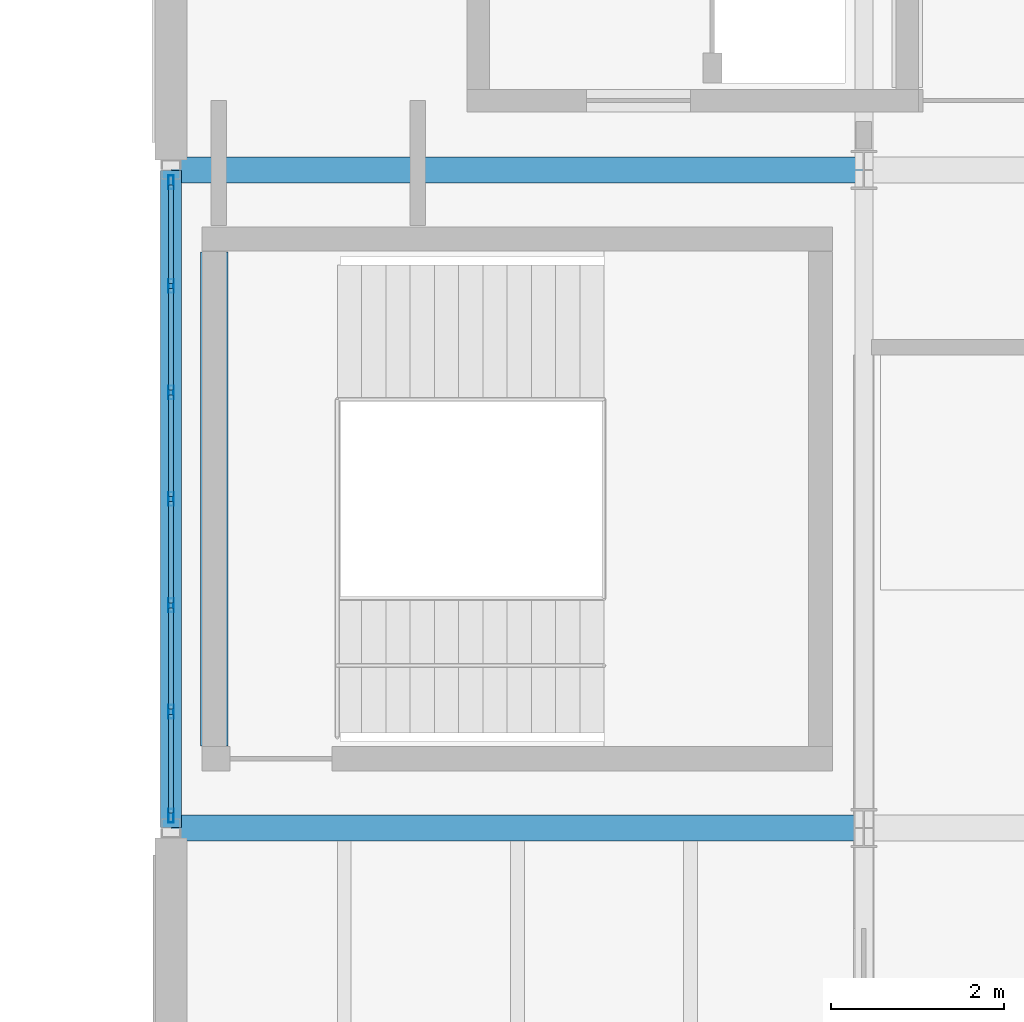
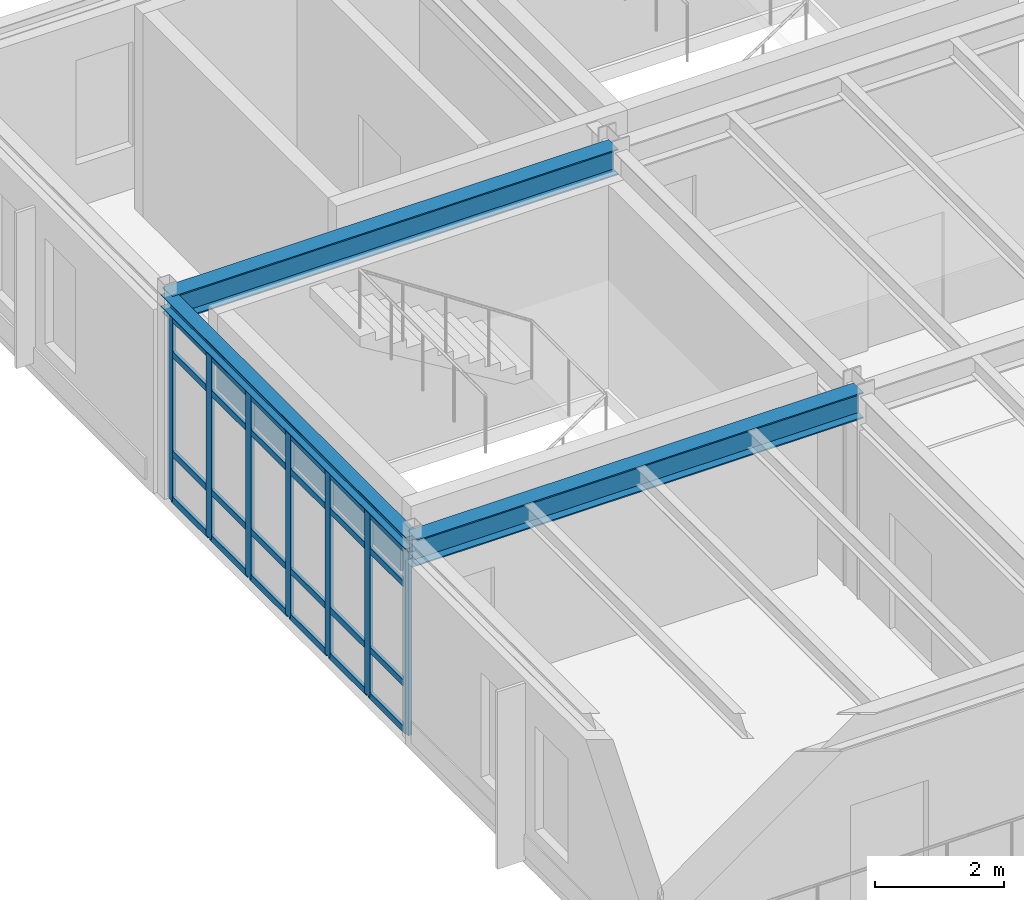
# One storey, part 65 of 114: 31 members, 4 beams, 1 element without a shape of its own.
"""IFC4 building model written with IfcOpenShell, lengths in metres."""

from ifc_helpers import new_model, si_unit, direction, frame, origin, origin_2d, place, context, subcontext, project, spatial, rectangle, hollow_rectangle, i_section, extrude, material, layer, layer_set, material_profile, profile_set, type_object, element, aggregate, save


model = new_model("IFC4")

# Units and contexts
model_context = context("Model", 3, precision=1e-05, world=origin(), true_north=direction((0.0, 1.0)))
body_context = subcontext(model_context, "Body", "Model", "MODEL_VIEW")
ifc_project = project(units=[si_unit("LENGTHUNIT", "METRE"), si_unit("AREAUNIT", "SQUARE_METRE"), si_unit("VOLUMEUNIT", "CUBIC_METRE"), si_unit("PLANEANGLEUNIT", "RADIAN"), si_unit("MASSUNIT", "GRAM", prefix="KILO")], contexts=[model_context])

# Site, building, storey
site_placement = place(None, origin())
site = spatial("IfcSite", under=ifc_project, at=site_placement, CompositionType="ELEMENT")
building_placement = place(site_placement, origin())
building = spatial("IfcBuilding", under=site, at=building_placement, Name="Montecoro Central Library", CompositionType="ELEMENT")
storey_placement = place(building_placement, frame((0.0, 0.0, 13.260009765625)))
storey = spatial("IfcBuildingStorey", under=building, at=storey_placement, Name="L03", CompositionType="ELEMENT", Elevation=13.260009765625)

# Beams
ifc_material_1 = material(Name="Steel S355J2", Category="steel")
ifc_material_profile_1 = material_profile(ifc_material_1, i_section(OverallWidth=0.300048828125, OverallDepth=0.489990234375, WebThickness=0.011962890625, FlangeThickness=0.02294921875, at=origin_2d()), Name="HEA 500")
ifc_profile_set_1 = profile_set([ifc_material_profile_1], Name="Steel S355J2")
beam_type_1 = type_object("IfcBeamType", Name="BM-G-HEA500", PredefinedType="USERDEFINED", material=ifc_profile_set_1)
for number, where, z_axis, x_axis, name in (
    (1, (141.0048828125, 103.800048828125, 3.580078125), (1.0, 0.0, 0.0), (0.0, 1.0, 0.0), "V5-L03-BX-1819-P"),
    (2, (141.0048828125, 111.39990234375, 3.580078125), (1.0, 0.0, 0.0), (0.0, 1.0, 0.0), "V5-L03-BX-1819-Q"),
):
    element("IfcBeam", number, at=place(storey_placement, frame(where, z_axis=z_axis, x_axis=x_axis)), inside=storey, type_object=beam_type_1, Name=name, ObjectType="GIRDER", PredefinedType="USERDEFINED", context=body_context, shape_type="SweptSolid", body=[
        extrude(i_section(OverallWidth=0.300048828125, OverallDepth=0.489990234375, WebThickness=0.011962890625, FlangeThickness=0.02294921875, at=origin_2d()), origin(), (0.0, 0.0, 1.0), 7.990234375),
    ])
ifc_material_2 = material(Name="Concrete C35/45", Category="concrete")
ifc_material_profile_2 = material_profile(ifc_material_2, rectangle(XDim=0.320068359375, YDim=0.5, at=origin_2d()), Name="RC LNT 500x320")
ifc_profile_set_2 = profile_set([ifc_material_profile_2], Name="Concrete C35/45")
beam_type_2 = type_object("IfcBeamType", Name="BM-LN-RC03", PredefinedType="LINTEL", material=ifc_profile_set_2)
beam_1_placement = place(storey_placement, frame((141.5, 104.75, 2.699951171875), z_axis=(0.0, 1.0, 0.0), x_axis=(-1.0, 0.0, 0.0)))
element("IfcBeam", 3, at=beam_1_placement, inside=storey, type_object=beam_type_2, Name="C8-L03-LNT", PredefinedType="LINTEL", context=body_context, shape_type="SweptSolid", body=[
    extrude(rectangle(XDim=0.320068359375, YDim=0.5, at=origin_2d()), origin(), (0.0, 0.0, 1.0), 5.699951171875),
])
ifc_material_3 = material(Name="Steel S355", Category="steel")
ifc_material_profile_3 = material_profile(ifc_material_3, i_section(OverallWidth=0.239990234375, OverallDepth=0.22998046875, WebThickness=0.007568359375, FlangeThickness=0.011962890625, at=origin_2d()), Name="HEA 240")
ifc_profile_set_3 = profile_set([ifc_material_profile_3], Name="Steel S355")
beam_type_3 = type_object("IfcBeamType", Name="BM-SP-HEA240", PredefinedType="SPANDREL", material=ifc_profile_set_3)
beam_2_placement = place(storey_placement, frame((141.0, 103.804931640625, 3.7099609375), z_axis=(0.0, 1.0, 0.0), x_axis=(-1.0, 0.0, 0.0)))
element("IfcBeam", 4, at=beam_2_placement, inside=storey, type_object=beam_type_3, Name="V5-L03-BY-18-PQ", PredefinedType="SPANDREL", context=body_context, shape_type="SweptSolid", body=[
    extrude(i_section(OverallWidth=0.239990234375, OverallDepth=0.22998046875, WebThickness=0.007568359375, FlangeThickness=0.011962890625, at=origin_2d()), origin(), (0.0, 0.0, 1.0), 7.590087890625),
])

# Curtain wall, members
ifc_material_4 = material(Name="Bronze-anodised aluminium and low-E glazing", Category="aluminium")
ifc_layer = layer(ifc_material_4, 0.159912109375)
ifc_layer_set = layer_set([ifc_layer], Name="Bronze-anodised aluminium and low-E glazing")
curtain_wall_type = type_object("IfcCurtainWallType", Name="CWT-055", PredefinedType="NOTDEFINED", material=ifc_layer_set)
curtain_wall_placement = place(storey_placement, origin())
curtain_wall = element("IfcCurtainWall", 5, at=curtain_wall_placement, inside=storey, type_object=curtain_wall_type, Name="V5-L03-CW-W1", PredefinedType="NOTDEFINED")
ifc_material_5 = material(Name="Bronze-anodised aluminium", Category="aluminium")
ifc_material_profile_4 = material_profile(ifc_material_5, hollow_rectangle(XDim=0.06005859375, YDim=0.159912109375, WallThickness=0.00390625, at=origin_2d()), Name="CWM 160x60x4.0")
ifc_profile_set_4 = profile_set([ifc_material_profile_4], Name="Bronze-anodised aluminium")
member_type_1 = type_object("IfcMemberType", Name="CWM-BRZ-60", PredefinedType="MULLION", material=ifc_profile_set_4)
member_1_placement = place(storey_placement, frame((141.0, 111.257080078125, 0.0), z_axis=(0.0, 0.0, 1.0), x_axis=(1.0, 0.0, 0.0)))
member_1 = element("IfcMember", 6, at=member_1_placement, type_object=member_type_1, Name="CW-055 mullion 1", PredefinedType="MULLION", context=body_context, shape_type="SweptSolid", body=[
    extrude(hollow_rectangle(XDim=0.06005859375, YDim=0.159912109375, WallThickness=0.00390625, at=origin_2d()), origin(), (0.0, 0.0, 1.0), 3.47998046875),
])
member_2_placement = place(storey_placement, frame((141.0, 110.05810546875, 0.0), z_axis=(0.0, 0.0, 1.0), x_axis=(1.0, 0.0, 0.0)))
member_2 = element("IfcMember", 7, at=member_2_placement, type_object=member_type_1, Name="CW-055 mullion 2", PredefinedType="MULLION", context=body_context, shape_type="SweptSolid", body=[
    extrude(hollow_rectangle(XDim=0.06005859375, YDim=0.159912109375, WallThickness=0.00390625, at=origin_2d()), origin(), (0.0, 0.0, 1.0), 3.47998046875),
])
member_3_placement = place(storey_placement, frame((141.0, 108.8291015625, 0.0), z_axis=(0.0, 0.0, 1.0), x_axis=(1.0, 0.0, 0.0)))
member_3 = element("IfcMember", 8, at=member_3_placement, type_object=member_type_1, Name="CW-055 mullion 3", PredefinedType="MULLION", context=body_context, shape_type="SweptSolid", body=[
    extrude(hollow_rectangle(XDim=0.06005859375, YDim=0.159912109375, WallThickness=0.00390625, at=origin_2d()), origin(), (0.0, 0.0, 1.0), 3.47998046875),
])
member_4_placement = place(storey_placement, frame((141.0, 107.60009765625, 0.0), z_axis=(0.0, 0.0, 1.0), x_axis=(1.0, 0.0, 0.0)))
member_4 = element("IfcMember", 9, at=member_4_placement, type_object=member_type_1, Name="CW-055 mullion 4", PredefinedType="MULLION", context=body_context, shape_type="SweptSolid", body=[
    extrude(hollow_rectangle(XDim=0.06005859375, YDim=0.159912109375, WallThickness=0.00390625, at=origin_2d()), origin(), (0.0, 0.0, 1.0), 3.47998046875),
])
member_5_placement = place(storey_placement, frame((141.0, 106.37109375, 0.0), z_axis=(0.0, 0.0, 1.0), x_axis=(1.0, 0.0, 0.0)))
member_5 = element("IfcMember", 10, at=member_5_placement, type_object=member_type_1, Name="CW-055 mullion 5", PredefinedType="MULLION", context=body_context, shape_type="SweptSolid", body=[
    extrude(hollow_rectangle(XDim=0.06005859375, YDim=0.159912109375, WallThickness=0.00390625, at=origin_2d()), origin(), (0.0, 0.0, 1.0), 3.47998046875),
])
member_6_placement = place(storey_placement, frame((141.0, 105.14208984375, 0.0), z_axis=(0.0, 0.0, 1.0), x_axis=(1.0, 0.0, 0.0)))
member_6 = element("IfcMember", 11, at=member_6_placement, type_object=member_type_1, Name="CW-055 mullion 6", PredefinedType="MULLION", context=body_context, shape_type="SweptSolid", body=[
    extrude(hollow_rectangle(XDim=0.06005859375, YDim=0.159912109375, WallThickness=0.00390625, at=origin_2d()), origin(), (0.0, 0.0, 1.0), 3.47998046875),
])
member_7_placement = place(storey_placement, frame((141.0, 103.943115234375, 0.0), z_axis=(0.0, 0.0, 1.0), x_axis=(1.0, 0.0, 0.0)))
member_7 = element("IfcMember", 12, at=member_7_placement, type_object=member_type_1, Name="CW-055 mullion 7", PredefinedType="MULLION", context=body_context, shape_type="SweptSolid", body=[
    extrude(hollow_rectangle(XDim=0.06005859375, YDim=0.159912109375, WallThickness=0.00390625, at=origin_2d()), origin(), (0.0, 0.0, 1.0), 3.47998046875),
])
ifc_material_profile_5 = material_profile(ifc_material_5, hollow_rectangle(XDim=0.06005859375, YDim=0.1201171875, WallThickness=0.00390625, at=origin_2d()), Name="CWT 120x60x4.0")
ifc_profile_set_5 = profile_set([ifc_material_profile_5], Name="Bronze-anodised aluminium")
member_type_2 = type_object("IfcMemberType", Name="CWT-BRZ-60", PredefinedType="USERDEFINED", material=ifc_profile_set_5)
member_8_placement = place(storey_placement, frame((141.0, 111.22705078125, 0.030029296875), z_axis=(0.0, -1.0, 0.0), x_axis=(1.0, 0.0, 0.0)))
member_8 = element("IfcMember", 13, at=member_8_placement, type_object=member_type_2, Name="CW-055 transom 1.1", ObjectType="TRANSOM", PredefinedType="USERDEFINED", context=body_context, shape_type="SweptSolid", body=[
    extrude(hollow_rectangle(XDim=0.06005859375, YDim=0.1201171875, WallThickness=0.00390625, at=origin_2d()), origin(), (0.0, 0.0, 1.0), 1.13916015625),
])
member_9_placement = place(storey_placement, frame((141.0, 111.22705078125, 0.89990234375), z_axis=(0.0, -1.0, 0.0), x_axis=(1.0, 0.0, 0.0)))
member_9 = element("IfcMember", 14, at=member_9_placement, type_object=member_type_2, Name="CW-055 transom 1.2", ObjectType="TRANSOM", PredefinedType="USERDEFINED", context=body_context, shape_type="SweptSolid", body=[
    extrude(hollow_rectangle(XDim=0.06005859375, YDim=0.1201171875, WallThickness=0.00390625, at=origin_2d()), origin(), (0.0, 0.0, 1.0), 1.13916015625),
])
member_10_placement = place(storey_placement, frame((141.0, 111.22705078125, 2.780029296875), z_axis=(0.0, -1.0, 0.0), x_axis=(1.0, 0.0, 0.0)))
member_10 = element("IfcMember", 15, at=member_10_placement, type_object=member_type_2, Name="CW-055 transom 1.3", ObjectType="TRANSOM", PredefinedType="USERDEFINED", context=body_context, shape_type="SweptSolid", body=[
    extrude(hollow_rectangle(XDim=0.06005859375, YDim=0.1201171875, WallThickness=0.00390625, at=origin_2d()), origin(), (0.0, 0.0, 1.0), 1.13916015625),
])
member_11_placement = place(storey_placement, frame((141.0, 111.22705078125, 3.449951171875), z_axis=(0.0, -1.0, 0.0), x_axis=(1.0, 0.0, 0.0)))
member_11 = element("IfcMember", 16, at=member_11_placement, type_object=member_type_2, Name="CW-055 transom 1.4", ObjectType="TRANSOM", PredefinedType="USERDEFINED", context=body_context, shape_type="SweptSolid", body=[
    extrude(hollow_rectangle(XDim=0.06005859375, YDim=0.1201171875, WallThickness=0.00390625, at=origin_2d()), origin(), (0.0, 0.0, 1.0), 1.13916015625),
])
member_12_placement = place(storey_placement, frame((141.0, 110.028076171875, 0.030029296875), z_axis=(0.0, -1.0, 0.0), x_axis=(1.0, 0.0, 0.0)))
member_12 = element("IfcMember", 17, at=member_12_placement, type_object=member_type_2, Name="CW-055 transom 2.1", ObjectType="TRANSOM", PredefinedType="USERDEFINED", context=body_context, shape_type="SweptSolid", body=[
    extrude(hollow_rectangle(XDim=0.06005859375, YDim=0.1201171875, WallThickness=0.00390625, at=origin_2d()), origin(), (0.0, 0.0, 1.0), 1.169189453125),
])
member_13_placement = place(storey_placement, frame((141.0, 110.028076171875, 0.89990234375), z_axis=(0.0, -1.0, 0.0), x_axis=(1.0, 0.0, 0.0)))
member_13 = element("IfcMember", 18, at=member_13_placement, type_object=member_type_2, Name="CW-055 transom 2.2", ObjectType="TRANSOM", PredefinedType="USERDEFINED", context=body_context, shape_type="SweptSolid", body=[
    extrude(hollow_rectangle(XDim=0.06005859375, YDim=0.1201171875, WallThickness=0.00390625, at=origin_2d()), origin(), (0.0, 0.0, 1.0), 1.169189453125),
])
member_14_placement = place(storey_placement, frame((141.0, 110.028076171875, 2.780029296875), z_axis=(0.0, -1.0, 0.0), x_axis=(1.0, 0.0, 0.0)))
member_14 = element("IfcMember", 19, at=member_14_placement, type_object=member_type_2, Name="CW-055 transom 2.3", ObjectType="TRANSOM", PredefinedType="USERDEFINED", context=body_context, shape_type="SweptSolid", body=[
    extrude(hollow_rectangle(XDim=0.06005859375, YDim=0.1201171875, WallThickness=0.00390625, at=origin_2d()), origin(), (0.0, 0.0, 1.0), 1.169189453125),
])
member_15_placement = place(storey_placement, frame((141.0, 110.028076171875, 3.449951171875), z_axis=(0.0, -1.0, 0.0), x_axis=(1.0, 0.0, 0.0)))
member_15 = element("IfcMember", 20, at=member_15_placement, type_object=member_type_2, Name="CW-055 transom 2.4", ObjectType="TRANSOM", PredefinedType="USERDEFINED", context=body_context, shape_type="SweptSolid", body=[
    extrude(hollow_rectangle(XDim=0.06005859375, YDim=0.1201171875, WallThickness=0.00390625, at=origin_2d()), origin(), (0.0, 0.0, 1.0), 1.169189453125),
])
member_16_placement = place(storey_placement, frame((141.0, 108.799072265625, 0.030029296875), z_axis=(0.0, -1.0, 0.0), x_axis=(1.0, 0.0, 0.0)))
member_16 = element("IfcMember", 21, at=member_16_placement, type_object=member_type_2, Name="CW-055 transom 3.1", ObjectType="TRANSOM", PredefinedType="USERDEFINED", context=body_context, shape_type="SweptSolid", body=[
    extrude(hollow_rectangle(XDim=0.06005859375, YDim=0.1201171875, WallThickness=0.00390625, at=origin_2d()), origin(), (0.0, 0.0, 1.0), 1.169189453125),
])
member_17_placement = place(storey_placement, frame((141.0, 108.799072265625, 0.89990234375), z_axis=(0.0, -1.0, 0.0), x_axis=(1.0, 0.0, 0.0)))
member_17 = element("IfcMember", 22, at=member_17_placement, type_object=member_type_2, Name="CW-055 transom 3.2", ObjectType="TRANSOM", PredefinedType="USERDEFINED", context=body_context, shape_type="SweptSolid", body=[
    extrude(hollow_rectangle(XDim=0.06005859375, YDim=0.1201171875, WallThickness=0.00390625, at=origin_2d()), origin(), (0.0, 0.0, 1.0), 1.169189453125),
])
member_18_placement = place(storey_placement, frame((141.0, 108.799072265625, 2.780029296875), z_axis=(0.0, -1.0, 0.0), x_axis=(1.0, 0.0, 0.0)))
member_18 = element("IfcMember", 23, at=member_18_placement, type_object=member_type_2, Name="CW-055 transom 3.3", ObjectType="TRANSOM", PredefinedType="USERDEFINED", context=body_context, shape_type="SweptSolid", body=[
    extrude(hollow_rectangle(XDim=0.06005859375, YDim=0.1201171875, WallThickness=0.00390625, at=origin_2d()), origin(), (0.0, 0.0, 1.0), 1.169189453125),
])
member_19_placement = place(storey_placement, frame((141.0, 108.799072265625, 3.449951171875), z_axis=(0.0, -1.0, 0.0), x_axis=(1.0, 0.0, 0.0)))
member_19 = element("IfcMember", 24, at=member_19_placement, type_object=member_type_2, Name="CW-055 transom 3.4", ObjectType="TRANSOM", PredefinedType="USERDEFINED", context=body_context, shape_type="SweptSolid", body=[
    extrude(hollow_rectangle(XDim=0.06005859375, YDim=0.1201171875, WallThickness=0.00390625, at=origin_2d()), origin(), (0.0, 0.0, 1.0), 1.169189453125),
])
member_20_placement = place(storey_placement, frame((141.0, 107.570068359375, 0.030029296875), z_axis=(0.0, -1.0, 0.0), x_axis=(1.0, 0.0, 0.0)))
member_20 = element("IfcMember", 25, at=member_20_placement, type_object=member_type_2, Name="CW-055 transom 4.1", ObjectType="TRANSOM", PredefinedType="USERDEFINED", context=body_context, shape_type="SweptSolid", body=[
    extrude(hollow_rectangle(XDim=0.06005859375, YDim=0.1201171875, WallThickness=0.00390625, at=origin_2d()), origin(), (0.0, 0.0, 1.0), 1.169189453125),
])
member_21_placement = place(storey_placement, frame((141.0, 107.570068359375, 0.89990234375), z_axis=(0.0, -1.0, 0.0), x_axis=(1.0, 0.0, 0.0)))
member_21 = element("IfcMember", 26, at=member_21_placement, type_object=member_type_2, Name="CW-055 transom 4.2", ObjectType="TRANSOM", PredefinedType="USERDEFINED", context=body_context, shape_type="SweptSolid", body=[
    extrude(hollow_rectangle(XDim=0.06005859375, YDim=0.1201171875, WallThickness=0.00390625, at=origin_2d()), origin(), (0.0, 0.0, 1.0), 1.169189453125),
])
member_22_placement = place(storey_placement, frame((141.0, 107.570068359375, 2.780029296875), z_axis=(0.0, -1.0, 0.0), x_axis=(1.0, 0.0, 0.0)))
member_22 = element("IfcMember", 27, at=member_22_placement, type_object=member_type_2, Name="CW-055 transom 4.3", ObjectType="TRANSOM", PredefinedType="USERDEFINED", context=body_context, shape_type="SweptSolid", body=[
    extrude(hollow_rectangle(XDim=0.06005859375, YDim=0.1201171875, WallThickness=0.00390625, at=origin_2d()), origin(), (0.0, 0.0, 1.0), 1.169189453125),
])
member_23_placement = place(storey_placement, frame((141.0, 107.570068359375, 3.449951171875), z_axis=(0.0, -1.0, 0.0), x_axis=(1.0, 0.0, 0.0)))
member_23 = element("IfcMember", 28, at=member_23_placement, type_object=member_type_2, Name="CW-055 transom 4.4", ObjectType="TRANSOM", PredefinedType="USERDEFINED", context=body_context, shape_type="SweptSolid", body=[
    extrude(hollow_rectangle(XDim=0.06005859375, YDim=0.1201171875, WallThickness=0.00390625, at=origin_2d()), origin(), (0.0, 0.0, 1.0), 1.169189453125),
])
member_24_placement = place(storey_placement, frame((141.0, 106.341064453125, 0.030029296875), z_axis=(0.0, -1.0, 0.0), x_axis=(1.0, 0.0, 0.0)))
member_24 = element("IfcMember", 29, at=member_24_placement, type_object=member_type_2, Name="CW-055 transom 5.1", ObjectType="TRANSOM", PredefinedType="USERDEFINED", context=body_context, shape_type="SweptSolid", body=[
    extrude(hollow_rectangle(XDim=0.06005859375, YDim=0.1201171875, WallThickness=0.00390625, at=origin_2d()), origin(), (0.0, 0.0, 1.0), 1.1689453125),
])
member_25_placement = place(storey_placement, frame((141.0, 106.341064453125, 0.89990234375), z_axis=(0.0, -1.0, 0.0), x_axis=(1.0, 0.0, 0.0)))
member_25 = element("IfcMember", 30, at=member_25_placement, type_object=member_type_2, Name="CW-055 transom 5.2", ObjectType="TRANSOM", PredefinedType="USERDEFINED", context=body_context, shape_type="SweptSolid", body=[
    extrude(hollow_rectangle(XDim=0.06005859375, YDim=0.1201171875, WallThickness=0.00390625, at=origin_2d()), origin(), (0.0, 0.0, 1.0), 1.1689453125),
])
member_26_placement = place(storey_placement, frame((141.0, 106.341064453125, 2.780029296875), z_axis=(0.0, -1.0, 0.0), x_axis=(1.0, 0.0, 0.0)))
member_26 = element("IfcMember", 31, at=member_26_placement, type_object=member_type_2, Name="CW-055 transom 5.3", ObjectType="TRANSOM", PredefinedType="USERDEFINED", context=body_context, shape_type="SweptSolid", body=[
    extrude(hollow_rectangle(XDim=0.06005859375, YDim=0.1201171875, WallThickness=0.00390625, at=origin_2d()), origin(), (0.0, 0.0, 1.0), 1.1689453125),
])
member_27_placement = place(storey_placement, frame((141.0, 106.341064453125, 3.449951171875), z_axis=(0.0, -1.0, 0.0), x_axis=(1.0, 0.0, 0.0)))
member_27 = element("IfcMember", 32, at=member_27_placement, type_object=member_type_2, Name="CW-055 transom 5.4", ObjectType="TRANSOM", PredefinedType="USERDEFINED", context=body_context, shape_type="SweptSolid", body=[
    extrude(hollow_rectangle(XDim=0.06005859375, YDim=0.1201171875, WallThickness=0.00390625, at=origin_2d()), origin(), (0.0, 0.0, 1.0), 1.1689453125),
])
member_28_placement = place(storey_placement, frame((141.0, 105.112060546875, 0.030029296875), z_axis=(0.0, -1.0, 0.0), x_axis=(1.0, 0.0, 0.0)))
member_28 = element("IfcMember", 33, at=member_28_placement, type_object=member_type_2, Name="CW-055 transom 6.1", ObjectType="TRANSOM", PredefinedType="USERDEFINED", context=body_context, shape_type="SweptSolid", body=[
    extrude(hollow_rectangle(XDim=0.06005859375, YDim=0.1201171875, WallThickness=0.00390625, at=origin_2d()), origin(), (0.0, 0.0, 1.0), 1.13916015625),
])
member_29_placement = place(storey_placement, frame((141.0, 105.112060546875, 0.89990234375), z_axis=(0.0, -1.0, 0.0), x_axis=(1.0, 0.0, 0.0)))
member_29 = element("IfcMember", 34, at=member_29_placement, type_object=member_type_2, Name="CW-055 transom 6.2", ObjectType="TRANSOM", PredefinedType="USERDEFINED", context=body_context, shape_type="SweptSolid", body=[
    extrude(hollow_rectangle(XDim=0.06005859375, YDim=0.1201171875, WallThickness=0.00390625, at=origin_2d()), origin(), (0.0, 0.0, 1.0), 1.13916015625),
])
member_30_placement = place(storey_placement, frame((141.0, 105.112060546875, 2.780029296875), z_axis=(0.0, -1.0, 0.0), x_axis=(1.0, 0.0, 0.0)))
member_30 = element("IfcMember", 35, at=member_30_placement, type_object=member_type_2, Name="CW-055 transom 6.3", ObjectType="TRANSOM", PredefinedType="USERDEFINED", context=body_context, shape_type="SweptSolid", body=[
    extrude(hollow_rectangle(XDim=0.06005859375, YDim=0.1201171875, WallThickness=0.00390625, at=origin_2d()), origin(), (0.0, 0.0, 1.0), 1.13916015625),
])
member_31_placement = place(storey_placement, frame((141.0, 105.112060546875, 3.449951171875), z_axis=(0.0, -1.0, 0.0), x_axis=(1.0, 0.0, 0.0)))
member_31 = element("IfcMember", 36, at=member_31_placement, type_object=member_type_2, Name="CW-055 transom 6.4", ObjectType="TRANSOM", PredefinedType="USERDEFINED", context=body_context, shape_type="SweptSolid", body=[
    extrude(hollow_rectangle(XDim=0.06005859375, YDim=0.1201171875, WallThickness=0.00390625, at=origin_2d()), origin(), (0.0, 0.0, 1.0), 1.13916015625),
])
aggregate(curtain_wall, [member_1, member_2, member_3, member_4, member_5, member_6, member_7, member_8, member_9, member_10, member_11, member_12, member_13, member_14, member_15, member_16, member_17, member_18, member_19, member_20, member_21, member_22, member_23, member_24, member_25, member_26, member_27, member_28, member_29, member_30, member_31])

save(model, "model.ifc")
